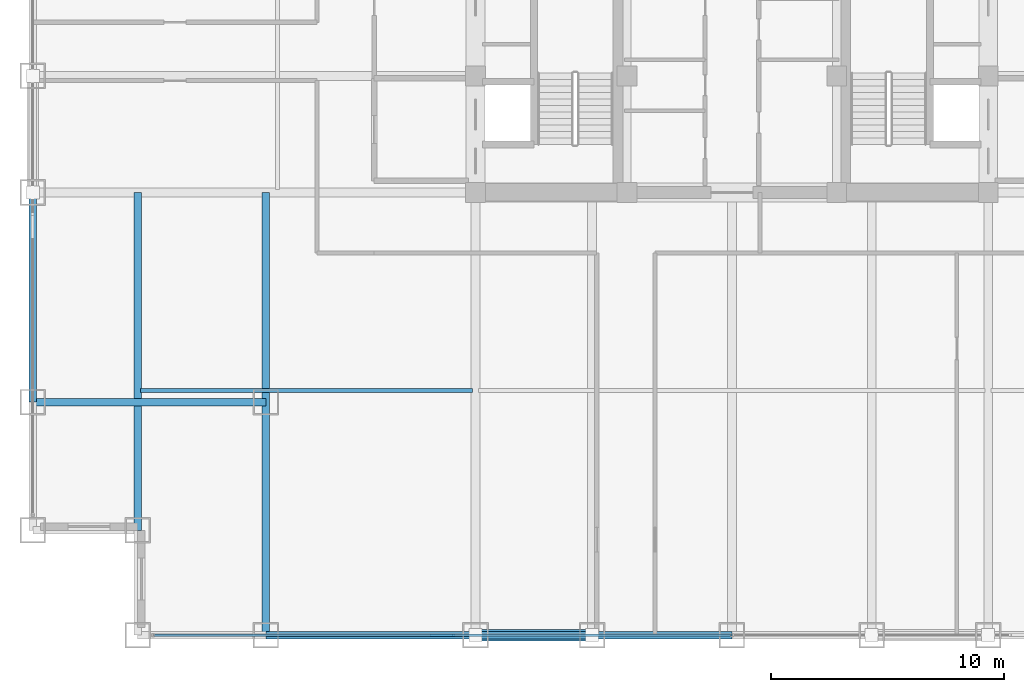
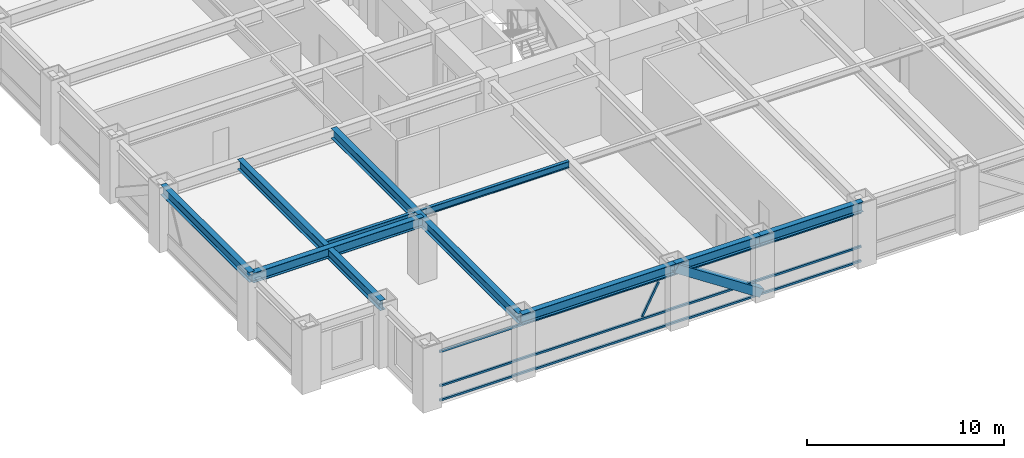
# One storey, part 3 of 24: 8 beams, 5 members, 1 element without a shape of its own.
"""IFC4 building model written with IfcOpenShell, lengths in metres."""

from ifc_helpers import new_model, si_unit, direction, frame, origin, origin_2d, place, context, subcontext, project, spatial, hollow_rectangle, i_section, extrude, source, transform, mapped, material, material_profile, profile_set, type_object, element, aggregate, save


model = new_model("IFC4")

# Units and contexts
model_context = context("Model", 3, precision=1e-05, world=origin(), true_north=direction((0.0, 1.0)))
body_context = subcontext(model_context, "Body", "Model", "MODEL_VIEW")
ifc_project = project(units=[si_unit("LENGTHUNIT", "METRE"), si_unit("AREAUNIT", "SQUARE_METRE"), si_unit("VOLUMEUNIT", "CUBIC_METRE"), si_unit("PLANEANGLEUNIT", "RADIAN"), si_unit("MASSUNIT", "GRAM", prefix="KILO")], contexts=[model_context])

# Site, building, storey
site_placement = place(None, origin())
site = spatial("IfcSite", under=ifc_project, at=site_placement, CompositionType="ELEMENT")
building_placement = place(site_placement, origin())
building = spatial("IfcBuilding", under=site, at=building_placement, Name="Khorayat Bourse Tower", CompositionType="ELEMENT")
storey_placement = place(building_placement, frame((0.0, 0.0, 163.10009765625)))
storey = spatial("IfcBuildingStorey", under=building, at=storey_placement, Name="L37", CompositionType="ELEMENT", Elevation=163.10009765625)

# Beams
ifc_material_1 = material(Name="Steel ASTM A992 Grade 50", Category="steel")
ifc_material_profile_1 = material_profile(ifc_material_1, i_section(OverallWidth=0.324951171875, OverallDepth=0.615966796875, WebThickness=0.013916015625, FlangeThickness=0.021484375, FilletRadius=0.01611328125, at=origin_2d()), Name="W610X174")
ifc_profile_set_1 = profile_set([ifc_material_profile_1], Name="Steel ASTM A992 Grade 50")
beam_type_1 = type_object("IfcBeamType", Name="BM-GIRD-610", PredefinedType="BEAM", material=ifc_profile_set_1)
shared_shape_1 = source(origin(), body_context, "Body", "SweptSolid", [
    extrude(i_section(OverallWidth=0.324951171875, OverallDepth=0.615966796875, WebThickness=0.013916015625, FlangeThickness=0.021484375, FilletRadius=0.01611328125, at=origin_2d()), origin(), (0.0, 0.0, 1.0), 19.0),
])
beam_1_placement = place(storey_placement, frame((-20.0, -30.0, 3.471923828125), z_axis=(0.0, 1.0, 0.0), x_axis=(-1.0, 0.0, 0.0)))
element("IfcBeam", 1, at=beam_1_placement, inside=storey, type_object=beam_type_1, Name="L37 BM-GIRD-610 BM-L37-CNRY-084", PredefinedType="BEAM", context=body_context, shape_type="MappedRepresentation", body=[
    mapped(shared_shape_1, transform((0.0, 0.0, 0.0), scale=1.0)),
])
shared_shape_2 = source(origin(), body_context, "Body", "SweptSolid", [
    extrude(i_section(OverallWidth=0.324951171875, OverallDepth=0.615966796875, WebThickness=0.013916015625, FlangeThickness=0.021484375, FilletRadius=0.01611328125, at=origin_2d()), origin(), (0.0, 0.0, 1.0), 14.5),
])
beam_2_placement = place(storey_placement, frame((-25.5, -25.5, 3.471923828125), z_axis=(0.0, 1.0, 0.0), x_axis=(-1.0, 0.0, 0.0)))
element("IfcBeam", 2, at=beam_2_placement, inside=storey, type_object=beam_type_1, Name="L37 BM-GIRD-610 BM-L37-CNRY-088", PredefinedType="BEAM", context=body_context, shape_type="MappedRepresentation", body=[
    mapped(shared_shape_2, transform((0.0, 0.0, 0.0), scale=1.0)),
])
shared_shape_3 = source(origin(), body_context, "Body", "SweptSolid", [
    extrude(i_section(OverallWidth=0.324951171875, OverallDepth=0.615966796875, WebThickness=0.013916015625, FlangeThickness=0.021484375, FilletRadius=0.01611328125, at=origin_2d()), origin(), (0.0, 0.0, 1.0), 10.0),
])
beam_3_placement = place(storey_placement, frame((-30.0, -20.0, 3.471923828125), z_axis=(1.0, 0.0, 0.0), x_axis=(0.0, 1.0, 0.0)))
element("IfcBeam", 3, at=beam_3_placement, inside=storey, type_object=beam_type_1, Name="L37 BM-GIRD-610 BM-L37-CNRX-093", PredefinedType="BEAM", context=body_context, shape_type="MappedRepresentation", body=[
    mapped(shared_shape_3, transform((0.0, 0.0, 0.0), scale=1.0)),
])
ifc_material_profile_2 = material_profile(ifc_material_1, i_section(OverallWidth=0.180908203125, OverallDepth=0.4169921875, WebThickness=0.010986328125, FlangeThickness=0.018310546875, FilletRadius=0.011962890625, at=origin_2d()), Name="W410X85")
ifc_profile_set_2 = profile_set([ifc_material_profile_2], Name="Steel ASTM A992 Grade 50")
beam_type_2 = type_object("IfcBeamType", Name="BM-JOIST-410", PredefinedType="JOIST", material=ifc_profile_set_2)
shared_shape_4 = source(origin(), body_context, "Body", "SweptSolid", [
    extrude(i_section(OverallWidth=0.180908203125, OverallDepth=0.4169921875, WebThickness=0.010986328125, FlangeThickness=0.018310546875, FilletRadius=0.011962890625, at=origin_2d()), origin(), (0.0, 0.0, 1.0), 14.240234375),
])
beam_4_placement = place(storey_placement, frame((-25.3701171875, -19.5, 3.5712890625), z_axis=(1.0, 0.0, 0.0), x_axis=(0.0, 1.0, 0.0)))
element("IfcBeam", 4, at=beam_4_placement, inside=storey, type_object=beam_type_2, Name="L37 BM-JOIST-410 BM-L37-JSTX-096", PredefinedType="JOIST", context=body_context, shape_type="MappedRepresentation", body=[
    mapped(shared_shape_4, transform((0.0, 0.0, 0.0), scale=1.0)),
])
ifc_material_profile_3 = material_profile(ifc_material_1, i_section(OverallWidth=0.324951171875, OverallDepth=0.615966796875, WebThickness=0.013916015625, FlangeThickness=0.021484375, FilletRadius=0.01611328125, at=origin_2d()), Name="W610X174")
ifc_profile_set_3 = profile_set([ifc_material_profile_3], Name="Steel ASTM A992 Grade 50")
beam_type_3 = type_object("IfcBeamType", Name="BM-SPAN-610", PredefinedType="SPANDREL", material=ifc_profile_set_3)
shared_shape_5 = source(origin(), body_context, "Body", "SweptSolid", [
    extrude(i_section(OverallWidth=0.324951171875, OverallDepth=0.615966796875, WebThickness=0.013916015625, FlangeThickness=0.021484375, FilletRadius=0.01611328125, at=origin_2d()), origin(), (0.0, 0.0, 1.0), 9.0),
])
for number, where, z_axis, x_axis, name in (
    (5, (-20.0, -30.0, 3.471923828125), (1.0, 0.0, 0.0), (0.0, 1.0, 0.0), "L37 BM-SPAN-610 BM-L37-SPN-025"),
    (6, (-30.0, -20.0, 3.471923828125), (0.0, 1.0, 0.0), (-1.0, 0.0, 0.0), "L37 BM-SPAN-610 BM-L37-SPN-060"),
):
    element("IfcBeam", number, at=place(storey_placement, frame(where, z_axis=z_axis, x_axis=x_axis)), inside=storey, type_object=beam_type_3, Name=name, PredefinedType="SPANDREL", context=body_context, shape_type="MappedRepresentation", body=[
        mapped(shared_shape_5, transform((0.0, 0.0, 0.0), scale=1.0)),
    ])
shared_shape_6 = source(origin(), body_context, "Body", "SweptSolid", [
    extrude(i_section(OverallWidth=0.324951171875, OverallDepth=0.615966796875, WebThickness=0.013916015625, FlangeThickness=0.021484375, FilletRadius=0.01611328125, at=origin_2d()), origin(), (0.0, 0.0, 1.0), 5.0),
])
beam_5_placement = place(storey_placement, frame((-11.0, -30.0, 3.471923828125), z_axis=(1.0, 0.0, 0.0), x_axis=(0.0, 1.0, 0.0)))
element("IfcBeam", 7, at=beam_5_placement, inside=storey, type_object=beam_type_3, Name="L37 BM-SPAN-610 BM-L37-SPN-026", PredefinedType="SPANDREL", context=body_context, shape_type="MappedRepresentation", body=[
    mapped(shared_shape_6, transform((0.0, 0.0, 0.0), scale=1.0)),
])
shared_shape_7 = source(origin(), body_context, "Body", "SweptSolid", [
    extrude(i_section(OverallWidth=0.324951171875, OverallDepth=0.615966796875, WebThickness=0.013916015625, FlangeThickness=0.021484375, FilletRadius=0.01611328125, at=origin_2d()), origin(), (0.0, 0.0, 1.0), 6.0),
])
beam_6_placement = place(storey_placement, frame((-6.0, -30.0, 3.471923828125), z_axis=(1.0, 0.0, 0.0), x_axis=(0.0, 1.0, 0.0)))
element("IfcBeam", 8, at=beam_6_placement, inside=storey, type_object=beam_type_3, Name="L37 BM-SPAN-610 BM-L37-SPN-027", PredefinedType="SPANDREL", context=body_context, shape_type="MappedRepresentation", body=[
    mapped(shared_shape_7, transform((0.0, 0.0, 0.0), scale=1.0)),
])

# Member
ifc_material_2 = material(Name="Steel EN 10025-4 S460M", Category="steel")
ifc_material_profile_4 = material_profile(ifc_material_2, hollow_rectangle(XDim=0.5, YDim=0.5, WallThickness=0.028076171875, at=origin_2d()), Name="HSS 500x500x28")
ifc_profile_set_4 = profile_set([ifc_material_profile_4], Name="Steel EN 10025-4 S460M")
member_type_1 = type_object("IfcMemberType", Name="MBR-TUBE-500", PredefinedType="BRACE", material=ifc_profile_set_4)
shared_shape_8 = source(origin(), body_context, "Body", "SweptSolid", [
    extrude(hollow_rectangle(XDim=0.5, YDim=0.5, WallThickness=0.028076171875, at=origin_2d()), origin(), (0.0, 0.0, 1.0), 5.979736328125),
])
member_1_placement = place(storey_placement, frame((-11.0, -30.0, 3.52978515625), z_axis=(0.836160261256, 0.0, -0.548485202623), x_axis=(0.0, 1.0, 0.0)))
element("IfcMember", 9, at=member_1_placement, inside=storey, type_object=member_type_1, Name="L37 Perimeter Tube Brace 01", PredefinedType="BRACE", context=body_context, shape_type="MappedRepresentation", body=[
    mapped(shared_shape_8, transform((0.0, 0.0, 0.0), scale=1.0)),
])

# Curtain wall, members
ifc_material_3 = material(Name="Aluminium EN AW-6063 T6", Category="aluminium")
curtain_wall_type = type_object("IfcCurtainWallType", Name="CW-SYS-03", PredefinedType="NOTDEFINED", material=ifc_material_3)
curtain_wall_placement = place(storey_placement, origin())
curtain_wall = element("IfcCurtainWall", 10, at=curtain_wall_placement, inside=storey, type_object=curtain_wall_type, Name="L37 Curtain Wall CW-L37-S1", PredefinedType="NOTDEFINED")
ifc_material_profile_5 = material_profile(ifc_material_3, hollow_rectangle(XDim=0.1201171875, YDim=0.1201171875, WallThickness=0.0048828125, at=origin_2d()), Name="ALU 120x120x5")
ifc_profile_set_5 = profile_set([ifc_material_profile_5], Name="Aluminium EN AW-6063 T6")
member_type_2 = type_object("IfcMemberType", Name="CWM-DIAG-120", PredefinedType="MULLION", material=ifc_profile_set_5)
shared_shape_9 = source(origin(), body_context, "Body", "SweptSolid", [
    extrude(hollow_rectangle(XDim=0.1201171875, YDim=0.1201171875, WallThickness=0.0048828125, at=origin_2d()), origin(), (0.0, 0.0, 1.0), 2.079345703125),
])
member_2_placement = place(storey_placement, frame((-12.904296875, -30.0, 1.08984375), z_axis=(0.465760949701, 0.0, 0.884910581773), x_axis=(0.0, 1.0, 0.0)))
member_2 = element("IfcMember", 11, at=member_2_placement, type_object=member_type_2, Name="CW-L37-S1 Faceted Diagonal Mullion 1", PredefinedType="MULLION", context=body_context, shape_type="MappedRepresentation", body=[
    mapped(shared_shape_9, transform((0.0, 0.0, 0.0), scale=1.0)),
])
ifc_material_profile_6 = material_profile(ifc_material_3, hollow_rectangle(XDim=0.1201171875, YDim=0.1201171875, WallThickness=0.0048828125, at=origin_2d()), Name="ALU 120x120x5")
ifc_profile_set_6 = profile_set([ifc_material_profile_6], Name="Aluminium EN AW-6063 T6")
member_type_3 = type_object("IfcMemberType", Name="CWT-HORZ-120", PredefinedType="USERDEFINED", material=ifc_profile_set_6)
shared_shape_10 = source(origin(), body_context, "Body", "SweptSolid", [
    extrude(hollow_rectangle(XDim=0.1201171875, YDim=0.1201171875, WallThickness=0.0048828125, at=origin_2d()), origin(), (0.0, 0.0, 1.0), 24.719970703125),
])
member_3_placement = place(storey_placement, frame((-24.780029296875, -30.0, 0.059814453125), z_axis=(1.0, 0.0, 0.0), x_axis=(0.0, 1.0, 0.0)))
member_3 = element("IfcMember", 12, at=member_3_placement, type_object=member_type_3, Name="CW-L37-S1 Horizontal Transom 1-1", ObjectType="TRANSOM", PredefinedType="USERDEFINED", context=body_context, shape_type="MappedRepresentation", body=[
    mapped(shared_shape_10, transform((0.0, 0.0, 0.0), scale=1.0)),
])
member_4_placement = place(storey_placement, frame((-24.780029296875, -30.0, 0.949951171875), z_axis=(1.0, 0.0, 0.0), x_axis=(0.0, 1.0, 0.0)))
member_4 = element("IfcMember", 13, at=member_4_placement, type_object=member_type_3, Name="CW-L37-S1 Horizontal Transom 1-2", ObjectType="TRANSOM", PredefinedType="USERDEFINED", context=body_context, shape_type="MappedRepresentation", body=[
    mapped(shared_shape_10, transform((0.0, 0.0, 0.0), scale=1.0)),
])
member_5_placement = place(storey_placement, frame((-24.780029296875, -30.0, 3.06982421875), z_axis=(1.0, 0.0, 0.0), x_axis=(0.0, 1.0, 0.0)))
member_5 = element("IfcMember", 14, at=member_5_placement, type_object=member_type_3, Name="CW-L37-S1 Horizontal Transom 1-3", ObjectType="TRANSOM", PredefinedType="USERDEFINED", context=body_context, shape_type="MappedRepresentation", body=[
    mapped(shared_shape_10, transform((0.0, 0.0, 0.0), scale=1.0)),
])
aggregate(curtain_wall, [member_3, member_4, member_5, member_2])

save(model, "model.ifc")
